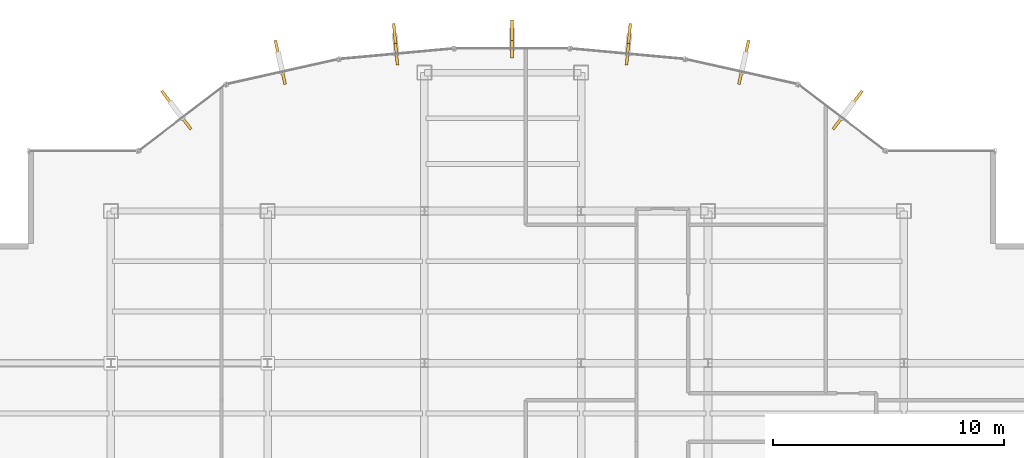
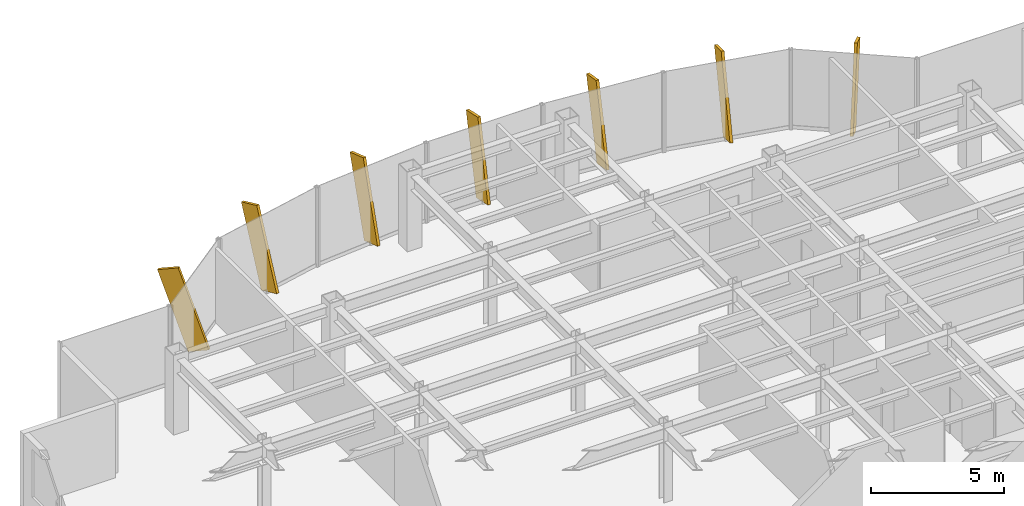
# One storey, part 18 of 19: 7 shading devices.
"""IFC4 building model written with IfcOpenShell, lengths in metres."""

from ifc_helpers import new_model, si_unit, derived_unit, direction, frame, origin, origin_2d, place, context, subcontext, project, spatial, rectangle, extrude, source, transform, mapped, material, type_object, element, save


model = new_model("IFC4")

# Units and contexts
model_context = context("Model", 3, precision=1e-05, world=origin(), true_north=direction((0.0, 1.0)))
body_context = subcontext(model_context, "Body", "Model", "MODEL_VIEW")
ifc_project = project(units=[si_unit("LENGTHUNIT", "METRE"), si_unit("AREAUNIT", "SQUARE_METRE"), si_unit("VOLUMEUNIT", "CUBIC_METRE"), si_unit("PLANEANGLEUNIT", "RADIAN"), si_unit("MASSUNIT", "GRAM", prefix="KILO"), derived_unit("THERMALTRANSMITTANCEUNIT", [(si_unit("POWERUNIT", "WATT"), 1), (si_unit("LENGTHUNIT", "METRE"), -2), (si_unit("THERMODYNAMICTEMPERATUREUNIT", "KELVIN"), -1)])], contexts=[model_context])

# Site, building, storey
site_placement = place(None, origin())
site = spatial("IfcSite", under=ifc_project, at=site_placement, CompositionType="ELEMENT")
building_placement = place(site_placement, origin())
building = spatial("IfcBuilding", under=site, at=building_placement, Name="Skarnbrae Concourse Arena and Tower", CompositionType="ELEMENT")
storey_placement = place(building_placement, frame((0.0, 0.0, 180.75)))
storey = spatial("IfcBuildingStorey", under=building, at=storey_placement, Name="L46", CompositionType="ELEMENT", Elevation=180.75)

# Shading devices
ifc_material = material(Name="Bronze anodised aluminium 6063-T6", Category="aluminium")
shading_device_type = type_object("IfcShadingDeviceType", Name="SHD-BRONZE-FIN-900", PredefinedType="USERDEFINED", material=ifc_material)
shared_shape = source(origin(), body_context, "Body", "SweptSolid", [
    extrude(rectangle(XDim=0.1201171875, YDim=0.89990234375, at=origin_2d()), origin(), (0.0, 0.0, 1.0), 3.64990234375),
])
for number, where, z_axis, x_axis, name in (
    (1, (39.1806640625, 38.283935546875, 0.110107421875), (0.207592334187, 0.27202097743, 0.939632912698), (0.794954941871, -0.606668476513, 0.0), "L46 Outward-leaning bronze shading fin 08"),
    (2, (34.932373046875, 40.311767578125, 0.085205078125), (0.065861638871, 0.294768862168, 0.953296156722), (0.975935794812, -0.218058075762, 0.0), "L46 Outward-leaning bronze shading fin 09"),
    (3, (30.007568359375, 41.169921875, 0.060546875), (0.023349156509, 0.25454584605, 0.966778790184), (0.99581928833, -0.091345196863, 0.0), "L46 Outward-leaning bronze shading fin 10"),
    (4, (25.0, 41.486083984375, 0.039794921875), (0.0, 0.207911690818, 0.978147600734), (1.0, 0.0, 0.0), "L46 Outward-leaning bronze shading fin 11"),
    (5, (19.992431640625, 41.169921875, 0.060546875), (-0.023349156509, 0.25454584605, 0.966778790184), (0.99581928833, 0.091345196863, 0.0), "L46 Outward-leaning bronze shading fin 12"),
    (6, (15.067626953125, 40.311767578125, 0.085205078125), (-0.065861638871, 0.294768862168, 0.953296156722), (0.975935794812, 0.218058075762, 0.0), "L46 Outward-leaning bronze shading fin 13"),
    (7, (10.8193359375, 38.283935546875, 0.110107421875), (-0.207592334187, 0.27202097743, 0.939632912698), (0.794954941871, 0.606668476513, 0.0), "L46 Outward-leaning bronze shading fin 14"),
):
    element("IfcShadingDevice", number, at=place(storey_placement, frame(where, z_axis=z_axis, x_axis=x_axis)), inside=storey, type_object=shading_device_type, Name=name, ObjectType="FIN", PredefinedType="USERDEFINED", context=body_context, shape_type="MappedRepresentation", body=[
        mapped(shared_shape, transform((0.0, 0.0, 0.0))),
    ])

save(model, "model.ifc")
